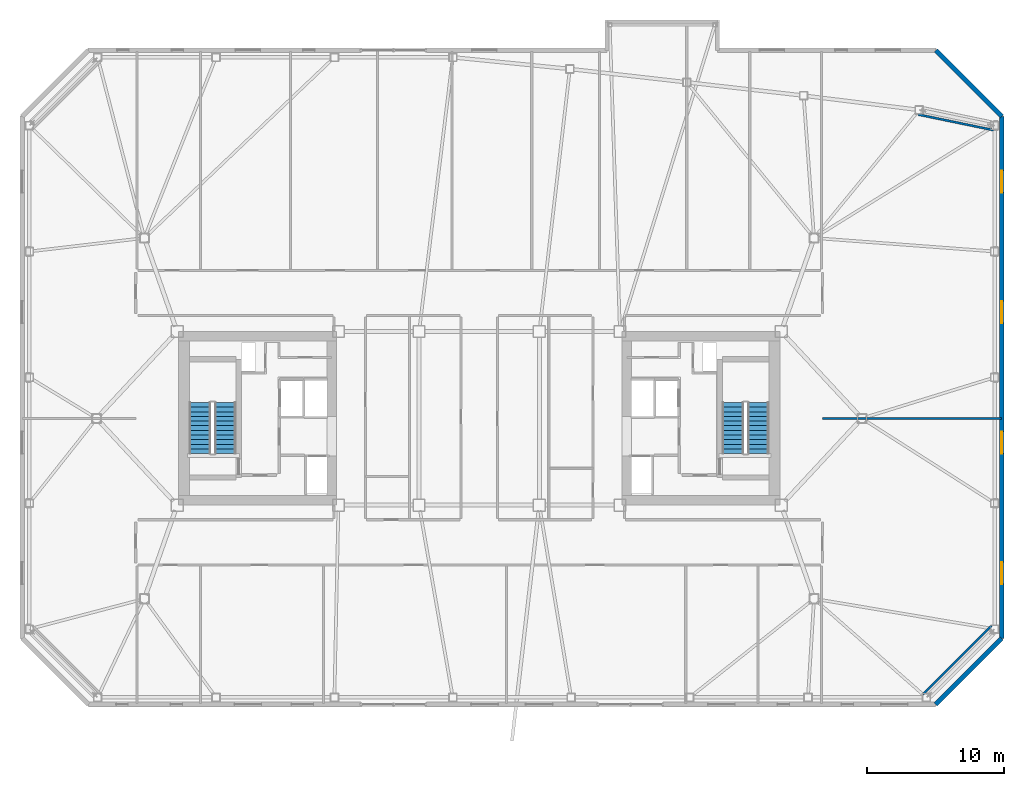
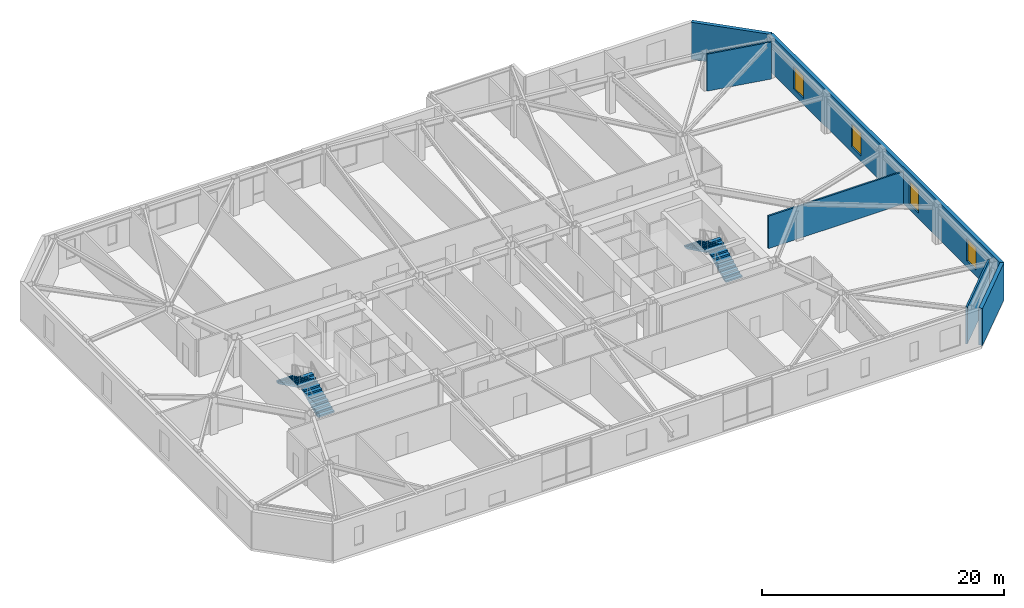
# One storey, part 14 of 18: 6 walls, 4 stair flights, 4 windows, 4 openings, 2 elements without a shape of their own.
"""IFC4 building model written with IfcOpenShell, lengths in metres."""

import ifcopenshell
import ifcopenshell.guid

model = None  # the IFC model being written
_history = None  # IfcOwnerHistory: only IFC2X3 demands one
_inside = {}  # id of a spatial element -> (the spatial element, [elements in it])
_under = {}  # id of a project, library or spatial element -> (it, [spatial elements below it])
_declared = {}  # id of a project -> (the project, [libraries it declares])
_typed = {}  # id of a type object -> (the type object, [elements of that type])
_made_of = {}  # id of a material, layer set ... -> (it, [elements and type objects made of it])


def new_model(schema):
    """Start an empty IFC model of exactly this schema.

    Asked for "IFC4X3", IfcOpenShell would pick the latest addendum, in which some entities
    have other attributes; the version numbers below select the first issue.
    IFC2X3 requires an IfcOwnerHistory on every rooted entity: one is made here for all.
    """
    global model, _history
    if schema == "IFC4X3":
        model = ifcopenshell.file(schema_version=(4, 3, 0, 0))
    else:
        model = ifcopenshell.file(schema=schema)
    _inside.clear()
    _under.clear()
    _declared.clear()
    _typed.clear()
    _made_of.clear()
    _history = None
    if model.schema == "IFC2X3":
        org = make("IfcOrganization", Name="unknown")
        user = make(
            "IfcPersonAndOrganization",
            ThePerson=make("IfcPerson", FamilyName="unknown"),
            TheOrganization=org,
        )
        app = make(
            "IfcApplication",
            ApplicationDeveloper=org,
            Version="unknown",
            ApplicationFullName="unknown",
            ApplicationIdentifier="unknown",
        )
        _history = make(
            "IfcOwnerHistory",
            OwningUser=user,
            OwningApplication=app,
            ChangeAction="ADDED",
            CreationDate=0,
        )
    return model


def make(cls, **values):
    """One entity of the class cls with the attributes given. An attribute that is None is left unset."""
    return model.create_entity(
        cls, **{name: value for name, value in values.items() if value is not None}
    )


def rooted(cls, **values):
    """An entity with a GlobalId (a new one), such as an element, a storey or a relation."""
    return make(cls, GlobalId=ifcopenshell.guid.new(), OwnerHistory=_history, **values)


def si_unit(unit_type, name, prefix=None):
    """IfcSIUnit, for example si_unit("LENGTHUNIT", "METRE", prefix="MILLI")."""
    return make("IfcSIUnit", UnitType=unit_type, Prefix=prefix, Name=name)


def assignment(units):
    """IfcUnitAssignment: the units of a project."""
    return None if units is None else make("IfcUnitAssignment", Units=units)


def point(xyz):
    """IfcCartesianPoint."""
    return None if xyz is None else make("IfcCartesianPoint", Coordinates=xyz)


def direction(xyz):
    """IfcDirection."""
    return None if xyz is None else make("IfcDirection", DirectionRatios=xyz)


def frame(location, z_axis=None, x_axis=None):
    """IfcAxis2Placement3D, a coordinate frame: its origin and axes. An axis left out is left unset."""
    return make(
        "IfcAxis2Placement3D",
        Location=point(location),
        Axis=direction(z_axis),
        RefDirection=direction(x_axis),
    )


def frame_2d(location, x_axis=None):
    """IfcAxis2Placement2D, a coordinate frame in the plane: its origin and x axis."""
    return make(
        "IfcAxis2Placement2D", Location=point(location), RefDirection=direction(x_axis)
    )


def origin():
    """The frame at (0, 0, 0) with its axes left unset."""
    return frame((0.0, 0.0, 0.0))


def place(relative_to, where):
    """IfcLocalPlacement: puts the frame where relative to a parent placement (None: the world)."""
    return make(
        "IfcLocalPlacement", PlacementRelTo=relative_to, RelativePlacement=where
    )


def context(
    kind, dimensions, precision=None, world=None, true_north=None, identifier=None
):
    """IfcGeometricRepresentationContext, for example the 3D "Model" context."""
    return make(
        "IfcGeometricRepresentationContext",
        ContextIdentifier=identifier,
        ContextType=kind,
        CoordinateSpaceDimension=dimensions,
        Precision=precision,
        WorldCoordinateSystem=world,
        TrueNorth=true_north,
    )


def subcontext(parent, identifier, kind, view, scale=None):
    """IfcGeometricRepresentationSubContext, for example "Body" below "Model"."""
    return make(
        "IfcGeometricRepresentationSubContext",
        ContextIdentifier=identifier,
        ContextType=kind,
        ParentContext=parent,
        TargetScale=scale,
        TargetView=view,
    )


def project(units=None, contexts=None):
    """IfcProject with its units and contexts."""
    return rooted(
        "IfcProject",
        Name="project",
        RepresentationContexts=contexts,
        UnitsInContext=assignment(units),
    )


def spatial(cls, under=None, at=None, **own):
    """A site, building, storey or space (cls), placed at a placement, below another one or the project."""
    s = rooted(cls, ObjectPlacement=at, **own)
    if under is not None:
        _under.setdefault(under.id(), (under, []))[1].append(s)
    return s


def polyline(points):
    """IfcPolyline through the points."""
    return make("IfcPolyline", Points=[point(p) for p in points])


def profile(cls, at=None, kind="AREA", **sizes):
    """A parametric profile (cls). Its sizes go by their IFC names, for example OverallWidth=200.0."""
    return make(cls, ProfileType=kind, Position=at, **sizes)


def rectangle(**sizes):
    """IfcRectangleProfileDef."""
    return profile("IfcRectangleProfileDef", **sizes)


def outline(outer, holes=None, kind="AREA"):
    """IfcArbitraryClosedProfileDef: a profile drawn as a closed curve; with holes, ...WithVoids."""
    if holes is None:
        return make("IfcArbitraryClosedProfileDef", ProfileType=kind, OuterCurve=outer)
    return make(
        "IfcArbitraryProfileDefWithVoids",
        ProfileType=kind,
        OuterCurve=outer,
        InnerCurves=holes,
    )


def extrude(swept, where, along, depth):
    """IfcExtrudedAreaSolid: the profile swept, set in the frame where, extruded along a direction by depth."""
    return make(
        "IfcExtrudedAreaSolid",
        SweptArea=swept,
        Position=where,
        ExtrudedDirection=direction(along),
        Depth=depth,
    )


def shape(context_of_items, identifier, shape_type, items):
    """IfcShapeRepresentation: the items that make up one representation, for example the "Body"."""
    return make(
        "IfcShapeRepresentation",
        ContextOfItems=context_of_items,
        RepresentationIdentifier=identifier,
        RepresentationType=shape_type,
        Items=items,
    )


def material(Name=None, Category=None):
    """IfcMaterial."""
    return make("IfcMaterial", Name=Name, Category=Category)


def layer(
    of_material, thickness, ventilated=None, Name=None, Category=None, Priority=None
):
    """IfcMaterialLayer: one layer of a wall or slab, of a material (None: an air gap)."""
    return make(
        "IfcMaterialLayer",
        Material=of_material,
        LayerThickness=thickness,
        IsVentilated=ventilated,
        Name=Name,
        Category=Category,
        Priority=Priority,
    )


def layer_set(layers, Name=None):
    """IfcMaterialLayerSet."""
    return make("IfcMaterialLayerSet", MaterialLayers=layers, LayerSetName=Name)


def made_of(thing, what):
    """Note that an element or type object is made of a material, layer set ...; save() writes the relation."""
    if what is not None:
        _made_of.setdefault(what.id(), (what, []))[1].append(thing)
    return thing


def type_object(cls, material=None, **own):
    """A type object (cls), such as IfcWallType, which elements share."""
    return made_of(rooted(cls, **own), material)


def element(
    cls,
    number,
    at=None,
    inside=None,
    cuts=None,
    type_object=None,
    material=None,
    context=None,
    identifier="Body",
    shape_type=None,
    held_by="IfcProductDefinitionShape",
    body=None,
    shapes=None,
    **own,
):
    """One element of the class cls, such as IfcWall. Its Tag is "e" and its number.

    at: its placement. inside: the storey or other place that contains it. cuts: it is an
    opening in that element (IfcRelVoidsElement). A single representation is given by context,
    identifier, shape_type and body (its items); several are given by shapes. held_by: the class
    of the entity that holds the representations. save() writes the other relations.
    """
    e = rooted(cls, Tag="e%d" % number, ObjectPlacement=at, **own)
    if body is not None:
        shapes = [shape(context, identifier, shape_type, body)]
    if shapes is not None:
        e.Representation = make(held_by, Representations=shapes)
    if inside is not None:
        _inside.setdefault(inside.id(), (inside, []))[1].append(e)
    if cuts is not None:
        rooted(
            "IfcRelVoidsElement", RelatingBuildingElement=cuts, RelatedOpeningElement=e
        )
    if type_object is not None:
        _typed.setdefault(type_object.id(), (type_object, []))[1].append(e)
    return made_of(e, material)


def fill(opening, filler):
    """IfcRelFillsElement: the door or window that sits in an opening."""
    return rooted(
        "IfcRelFillsElement",
        RelatingOpeningElement=opening,
        RelatedBuildingElement=filler,
    )


def aggregate(whole, parts):
    """IfcRelAggregates: a whole, such as a stair, and the parts it consists of."""
    return rooted("IfcRelAggregates", RelatingObject=whole, RelatedObjects=parts)


def save(model, path):
    """Write the relations noted so far, then the file.

    IfcRelAggregates (storeys below a building ...), IfcRelContainedInSpatialStructure (elements
    in a storey), IfcRelDefinesByType, IfcRelAssociatesMaterial and IfcRelDeclares: one each for
    every whole, place, type object, material and project.
    """
    for whole, parts in _under.values():
        aggregate(whole, parts)
    for where, things in _inside.values():
        rooted(
            "IfcRelContainedInSpatialStructure",
            RelatedElements=things,
            RelatingStructure=where,
        )
    for kind, things in _typed.values():
        rooted("IfcRelDefinesByType", RelatedObjects=things, RelatingType=kind)
    for what, things in _made_of.values():
        rooted("IfcRelAssociatesMaterial", RelatedObjects=things, RelatingMaterial=what)
    for by, libraries in _declared.values():
        rooted("IfcRelDeclares", RelatingContext=by, RelatedDefinitions=libraries)
    model.write(path)


model = new_model("IFC4")

# Units and contexts
model_context = context("Model", 3, precision=1e-05, world=origin(), true_north=direction((0.0, 1.0)))
body_context = subcontext(model_context, "Body", "Model", "MODEL_VIEW")
ifc_project = project(units=[si_unit("LENGTHUNIT", "METRE"), si_unit("AREAUNIT", "SQUARE_METRE"), si_unit("VOLUMEUNIT", "CUBIC_METRE"), si_unit("PLANEANGLEUNIT", "RADIAN"), si_unit("MASSUNIT", "GRAM", prefix="KILO")], contexts=[model_context])

# Site, building, storey
site_placement = place(None, origin())
site = spatial("IfcSite", under=ifc_project, at=site_placement, CompositionType="ELEMENT")
building_placement = place(site_placement, origin())
building = spatial("IfcBuilding", under=site, at=building_placement, Name="Tavrogorsk Clinical Tower", CompositionType="ELEMENT")
storey_placement = place(building_placement, frame((0.0, 0.0, 184.199951171875)))
storey = spatial("IfcBuildingStorey", under=building, at=storey_placement, Name="L42", CompositionType="ELEMENT", Elevation=184.199951171875)

# Walls
ifc_material_1 = material(Name="Lightweight concrete blockwork B15", Category="masonry")
ifc_layer_1 = layer(ifc_material_1, 0.159912109375)
ifc_layer_set_1 = layer_set([ifc_layer_1], Name="Lightweight concrete blockwork B15")
wall_type_1 = type_object("IfcWallType", Name="PartitionWall_160", PredefinedType="PARTITIONING", material=ifc_layer_set_1)
wall_1_placement = place(storey_placement, frame((32.4794921875, -20.1796875, 0.0), z_axis=(0.0, 0.0, 1.0), x_axis=(0.707106781187, 0.707106781187, 0.0)))
element("IfcWall", 1, at=wall_1_placement, inside=storey, type_object=wall_type_1, Name="L42 Corner Exoskeleton Brace Furring Wall 1", PredefinedType="PARTITIONING", context=body_context, shape_type="SweptSolid", body=[
    extrude(rectangle(XDim=7.071044921875, YDim=0.159912109375, at=frame_2d((3.53564453125, 0.0))), origin(), (0.0, 0.0, 1.0), 3.739990234375),
])
wall_2_placement = place(storey_placement, frame((37.65087890625, 21.0869140625, 0.0), z_axis=(0.0, 0.0, 1.0), x_axis=(-0.979184618318, 0.202971631636, 0.0)))
element("IfcWall", 2, at=wall_2_placement, inside=storey, type_object=wall_type_1, Name="L42 Corner Exoskeleton Brace Furring Wall 2", PredefinedType="PARTITIONING", context=body_context, shape_type="SweptSolid", body=[
    extrude(rectangle(XDim=5.64599609375, YDim=0.159912109375, at=frame_2d((2.822998046875, 0.0))), origin(), (0.0, 0.0, 1.0), 3.739990234375),
])
wall_3_placement = place(storey_placement, frame((25.1298828125, 0.0, 0.0), z_axis=(0.0, 0.0, 1.0), x_axis=(1.0, 0.0, 0.0)))
element("IfcWall", 3, at=wall_3_placement, inside=storey, type_object=wall_type_1, Name="L42 E Wing Divider 1", PredefinedType="PARTITIONING", context=body_context, shape_type="SweptSolid", body=[
    extrude(rectangle(XDim=13.080078125, YDim=0.159912109375, at=frame_2d((6.5400390625, 0.0))), origin(), (0.0, 0.0, 1.0), 3.28515625),
])

# Wall, openings, windows
ifc_material_2 = material(Name="Precast concrete B45 with limestone cladding", Category="masonry")
ifc_layer_2 = layer(ifc_material_2, 0.340087890625)
ifc_layer_set_2 = layer_set([ifc_layer_2], Name="Precast concrete B45 with limestone cladding")
wall_type_2 = type_object("IfcWallType", Name="PrecastLimestoneWall_340", PredefinedType="STANDARD", material=ifc_layer_set_2)
wall_4_placement = place(storey_placement, frame((38.22998046875, -16.10009765625, 0.0), z_axis=(0.0, 0.0, 1.0), x_axis=(0.0, 1.0, 0.0)))
wall_4 = element("IfcWall", 4, at=wall_4_placement, inside=storey, type_object=wall_type_2, Name="L42 E Pleated Limestone Wing Wall", PredefinedType="STANDARD", context=body_context, shape_type="SweptSolid", body=[
    extrude(rectangle(XDim=38.2001953125, YDim=0.340087890625, at=frame_2d((19.10009765625, 0.0))), origin(), (0.0, 0.0, 1.0), 3.739990234375),
])
opening_1_placement = place(wall_4_placement, frame((3.97509765625, 0.0, 0.580078125)))
opening_1 = element("IfcOpeningElement", 5, at=opening_1_placement, cuts=wall_4, Name="Opening WN-07", PredefinedType="OPENING", context=body_context, shape_type="SweptSolid", body=[
    extrude(rectangle(XDim=1.60009765625, YDim=2.300048828125, at=frame_2d((0.800048828125, 1.14990234375))), frame((0.0, 0.179931640625, 0.0), z_axis=(0.0, -1.0, 0.0), x_axis=(1.0, 0.0, 0.0)), (0.0, 0.0, 1.0), 0.360107421875),
])
opening_2_placement = place(wall_4_placement, frame((13.52490234375, 0.0, 0.580078125)))
opening_2 = element("IfcOpeningElement", 6, at=opening_2_placement, cuts=wall_4, Name="Opening WN-07", PredefinedType="OPENING", context=body_context, shape_type="SweptSolid", body=[
    extrude(rectangle(XDim=1.60009765625, YDim=2.300048828125, at=frame_2d((0.800048828125, 1.14990234375))), frame((0.0, 0.179931640625, 0.0), z_axis=(0.0, -1.0, 0.0), x_axis=(1.0, 0.0, 0.0)), (0.0, 0.0, 1.0), 0.360107421875),
])
opening_3_placement = place(wall_4_placement, frame((23.074951171875, 0.0, 0.580078125)))
opening_3 = element("IfcOpeningElement", 7, at=opening_3_placement, cuts=wall_4, Name="Opening WN-07", PredefinedType="OPENING", context=body_context, shape_type="SweptSolid", body=[
    extrude(rectangle(XDim=1.60009765625, YDim=2.300048828125, at=frame_2d((0.800048828125, 1.14990234375))), frame((0.0, 0.179931640625, 0.0), z_axis=(0.0, -1.0, 0.0), x_axis=(1.0, 0.0, 0.0)), (0.0, 0.0, 1.0), 0.360107421875),
])
opening_4_placement = place(wall_4_placement, frame((32.625, 0.0, 0.580078125)))
opening_4 = element("IfcOpeningElement", 8, at=opening_4_placement, cuts=wall_4, Name="Opening WN-07", PredefinedType="OPENING", context=body_context, shape_type="SweptSolid", body=[
    extrude(rectangle(XDim=1.60009765625, YDim=2.300048828125, at=frame_2d((0.800048828125, 1.14990234375))), frame((0.0, 0.179931640625, 0.0), z_axis=(0.0, -1.0, 0.0), x_axis=(1.0, 0.0, 0.0)), (0.0, 0.0, 1.0), 0.360107421875),
])
ifc_material_3 = material(Name="Thermally broken aluminium frame and triple IGU", Category="aluminium")
window_type = type_object("IfcWindowType", Name="PleatSlotWin_1600x2300", PartitioningType="SINGLE_PANEL", PredefinedType="WINDOW", material=ifc_material_3)
window_1_placement = place(opening_1_placement, origin())
window_1 = element("IfcWindow", 9, at=window_1_placement, inside=storey, type_object=window_type, Name="L42 E Pleat Slot Window 1", OverallHeight=2.300048828125, OverallWidth=1.60009765625, PartitioningType="SINGLE_PANEL", PredefinedType="WINDOW", context=body_context, shape_type="SweptSolid", body=[
    extrude(rectangle(XDim=1.60009765625, YDim=2.300048828125, at=frame_2d((0.800048828125, 1.14990234375))), frame((0.0, 0.030029296875, 0.0), z_axis=(0.0, -1.0, 0.0), x_axis=(1.0, 0.0, 0.0)), (0.0, 0.0, 1.0), 0.06005859375),
])
fill(opening_1, window_1)
window_2_placement = place(opening_2_placement, origin())
window_2 = element("IfcWindow", 10, at=window_2_placement, inside=storey, type_object=window_type, Name="L42 E Pleat Slot Window 2", OverallHeight=2.300048828125, OverallWidth=1.60009765625, PartitioningType="SINGLE_PANEL", PredefinedType="WINDOW", context=body_context, shape_type="SweptSolid", body=[
    extrude(rectangle(XDim=1.60009765625, YDim=2.300048828125, at=frame_2d((0.800048828125, 1.14990234375))), frame((0.0, 0.030029296875, 0.0), z_axis=(0.0, -1.0, 0.0), x_axis=(1.0, 0.0, 0.0)), (0.0, 0.0, 1.0), 0.06005859375),
])
fill(opening_2, window_2)
window_3_placement = place(opening_3_placement, origin())
window_3 = element("IfcWindow", 11, at=window_3_placement, inside=storey, type_object=window_type, Name="L42 E Pleat Slot Window 3", OverallHeight=2.300048828125, OverallWidth=1.60009765625, PartitioningType="SINGLE_PANEL", PredefinedType="WINDOW", context=body_context, shape_type="SweptSolid", body=[
    extrude(rectangle(XDim=1.60009765625, YDim=2.300048828125, at=frame_2d((0.800048828125, 1.14990234375))), frame((0.0, 0.030029296875, 0.0), z_axis=(0.0, -1.0, 0.0), x_axis=(1.0, 0.0, 0.0)), (0.0, 0.0, 1.0), 0.06005859375),
])
fill(opening_3, window_3)
window_4_placement = place(opening_4_placement, origin())
window_4 = element("IfcWindow", 12, at=window_4_placement, inside=storey, type_object=window_type, Name="L42 E Pleat Slot Window 4", OverallHeight=2.300048828125, OverallWidth=1.60009765625, PartitioningType="SINGLE_PANEL", PredefinedType="WINDOW", context=body_context, shape_type="SweptSolid", body=[
    extrude(rectangle(XDim=1.60009765625, YDim=2.300048828125, at=frame_2d((0.800048828125, 1.14990234375))), frame((0.0, 0.030029296875, 0.0), z_axis=(0.0, -1.0, 0.0), x_axis=(1.0, 0.0, 0.0)), (0.0, 0.0, 1.0), 0.06005859375),
])
fill(opening_4, window_4)

# Walls
for number, where, z_axis, x_axis, name in (
    (13, (33.39990234375, -20.929931640625, 0.0), (0.0, 0.0, 1.0), (0.707124652085, 0.707088909836, 0.0), "L42 Chamfered Corner Wall 1"),
    (14, (38.22998046875, 22.10009765625, 0.0), (0.0, 0.0, 1.0), (-0.707124652085, 0.707088909836, 0.0), "L42 Chamfered Corner Wall 2"),
):
    element("IfcWall", number, at=place(storey_placement, frame(where, z_axis=z_axis, x_axis=x_axis)), inside=storey, type_object=wall_type_2, Name=name, PredefinedType="STANDARD", context=body_context, shape_type="SweptSolid", body=[
        extrude(rectangle(XDim=6.83056640625, YDim=0.340087890625, at=frame_2d((3.415283203125, 0.0))), origin(), (0.0, 0.0, 1.0), 3.739990234375),
    ])

# Stair, stair flights
ifc_material_4 = material(Name="Concrete B60", Category="concrete")
stair_type = type_object("IfcStairType", Name="CoreStairAssembly", PredefinedType="HALF_TURN_STAIR", material=ifc_material_4)
stair_1_placement = place(storey_placement, origin())
stair_1 = element("IfcStair", 15, at=stair_1_placement, inside=storey, type_object=stair_type, Name="L42 ST-W", PredefinedType="HALF_TURN_STAIR")
ifc_material_5 = material(Name="Concrete B60", Category="concrete")
stair_flight_type = type_object("IfcStairFlightType", Name="CoreStairFlight", PredefinedType="STRAIGHT", material=ifc_material_5)
stair_flight_1_placement = place(storey_placement, frame((-18.574951171875, -2.574951171875, 0.0), z_axis=(0.0, 0.0, 1.0), x_axis=(0.0, 1.0, 0.0)))
stair_flight_1 = element("IfcStairFlight", 16, at=stair_flight_1_placement, type_object=stair_flight_type, Name="ST-W flight 1", NumberOfRisers=12, NumberOfTreads=11, PredefinedType="STRAIGHT", RiserHeight=0.166666667, TreadLength=0.34, context=body_context, shape_type="SweptSolid", body=[
    extrude(outline(polyline([(0.0, 0.0), (0.0, 0.166748046875), (0.340087890625, 0.166748046875), (0.340087890625, 0.333251953125), (0.679931640625, 0.333251953125), (0.679931640625, 0.5), (1.02001953125, 0.5), (1.02001953125, 0.666748046875), (1.360107421875, 0.666748046875), (1.360107421875, 0.833251953125), (1.699951171875, 0.833251953125), (1.699951171875, 1.0), (2.0400390625, 1.0), (2.0400390625, 1.166748046875), (2.3798828125, 1.166748046875), (2.3798828125, 1.333251953125), (2.719970703125, 1.333251953125), (2.719970703125, 1.5), (3.06005859375, 1.5), (3.06005859375, 1.666748046875), (3.39990234375, 1.666748046875), (3.39990234375, 1.833251953125), (3.739990234375, 1.833251953125), (3.739990234375, 2.0), (3.739990234375, 1.66650390625), (0.340576171875, 0.0), (0.0, 0.0)])), frame((0.0, 0.77490234375, 0.0), z_axis=(0.0, -1.0, 0.0), x_axis=(1.0, 0.0, 0.0)), (0.0, 0.0, 1.0), 1.550048828125),
])
stair_flight_2_placement = place(storey_placement, frame((-20.425048828125, 1.1650390625, 2.0), z_axis=(0.0, 0.0, 1.0), x_axis=(0.0, -1.0, 0.0)))
stair_flight_2 = element("IfcStairFlight", 17, at=stair_flight_2_placement, type_object=stair_flight_type, Name="ST-W flight 2", NumberOfRisers=12, NumberOfTreads=11, PredefinedType="STRAIGHT", RiserHeight=0.166666667, TreadLength=0.34, context=body_context, shape_type="SweptSolid", body=[
    extrude(outline(polyline([(0.0, 0.0), (0.0, 0.166748046875), (0.340087890625, 0.166748046875), (0.340087890625, 0.333251953125), (0.679931640625, 0.333251953125), (0.679931640625, 0.5), (1.02001953125, 0.5), (1.02001953125, 0.666748046875), (1.360107421875, 0.666748046875), (1.360107421875, 0.833251953125), (1.699951171875, 0.833251953125), (1.699951171875, 1.0), (2.0400390625, 1.0), (2.0400390625, 1.166748046875), (2.3798828125, 1.166748046875), (2.3798828125, 1.333251953125), (2.719970703125, 1.333251953125), (2.719970703125, 1.5), (3.06005859375, 1.5), (3.06005859375, 1.666748046875), (3.39990234375, 1.666748046875), (3.39990234375, 1.833251953125), (3.739990234375, 1.833251953125), (3.739990234375, 2.0), (3.739990234375, 1.66650390625), (0.340576171875, 0.0), (0.0, 0.0)])), frame((0.0, 0.77490234375, 0.0), z_axis=(0.0, -1.0, 0.0), x_axis=(1.0, 0.0, 0.0)), (0.0, 0.0, 1.0), 1.550048828125),
])
aggregate(stair_1, [stair_flight_1, stair_flight_2])

stair_2_placement = place(storey_placement, origin())
stair_2 = element("IfcStair", 18, at=stair_2_placement, inside=storey, type_object=stair_type, Name="L42 ST-E", PredefinedType="HALF_TURN_STAIR")
stair_flight_3_placement = place(storey_placement, frame((20.425048828125, -2.574951171875, 0.0), z_axis=(0.0, 0.0, 1.0), x_axis=(0.0, 1.0, 0.0)))
stair_flight_3 = element("IfcStairFlight", 19, at=stair_flight_3_placement, type_object=stair_flight_type, Name="ST-E flight 1", NumberOfRisers=12, NumberOfTreads=11, PredefinedType="STRAIGHT", RiserHeight=0.166666667, TreadLength=0.34, context=body_context, shape_type="SweptSolid", body=[
    extrude(outline(polyline([(0.0, 0.0), (0.0, 0.166748046875), (0.340087890625, 0.166748046875), (0.340087890625, 0.333251953125), (0.679931640625, 0.333251953125), (0.679931640625, 0.5), (1.02001953125, 0.5), (1.02001953125, 0.666748046875), (1.360107421875, 0.666748046875), (1.360107421875, 0.833251953125), (1.699951171875, 0.833251953125), (1.699951171875, 1.0), (2.0400390625, 1.0), (2.0400390625, 1.166748046875), (2.3798828125, 1.166748046875), (2.3798828125, 1.333251953125), (2.719970703125, 1.333251953125), (2.719970703125, 1.5), (3.06005859375, 1.5), (3.06005859375, 1.666748046875), (3.39990234375, 1.666748046875), (3.39990234375, 1.833251953125), (3.739990234375, 1.833251953125), (3.739990234375, 2.0), (3.739990234375, 1.66650390625), (0.340576171875, 0.0), (0.0, 0.0)])), frame((0.0, 0.77490234375, 0.0), z_axis=(0.0, -1.0, 0.0), x_axis=(1.0, 0.0, 0.0)), (0.0, 0.0, 1.0), 1.550048828125),
])
stair_flight_4_placement = place(storey_placement, frame((18.574951171875, 1.1650390625, 2.0), z_axis=(0.0, 0.0, 1.0), x_axis=(0.0, -1.0, 0.0)))
stair_flight_4 = element("IfcStairFlight", 20, at=stair_flight_4_placement, type_object=stair_flight_type, Name="ST-E flight 2", NumberOfRisers=12, NumberOfTreads=11, PredefinedType="STRAIGHT", RiserHeight=0.166666667, TreadLength=0.34, context=body_context, shape_type="SweptSolid", body=[
    extrude(outline(polyline([(0.0, 0.0), (0.0, 0.166748046875), (0.340087890625, 0.166748046875), (0.340087890625, 0.333251953125), (0.679931640625, 0.333251953125), (0.679931640625, 0.5), (1.02001953125, 0.5), (1.02001953125, 0.666748046875), (1.360107421875, 0.666748046875), (1.360107421875, 0.833251953125), (1.699951171875, 0.833251953125), (1.699951171875, 1.0), (2.0400390625, 1.0), (2.0400390625, 1.166748046875), (2.3798828125, 1.166748046875), (2.3798828125, 1.333251953125), (2.719970703125, 1.333251953125), (2.719970703125, 1.5), (3.06005859375, 1.5), (3.06005859375, 1.666748046875), (3.39990234375, 1.666748046875), (3.39990234375, 1.833251953125), (3.739990234375, 1.833251953125), (3.739990234375, 2.0), (3.739990234375, 1.66650390625), (0.340576171875, 0.0), (0.0, 0.0)])), frame((0.0, 0.77490234375, 0.0), z_axis=(0.0, -1.0, 0.0), x_axis=(1.0, 0.0, 0.0)), (0.0, 0.0, 1.0), 1.550048828125),
])
aggregate(stair_2, [stair_flight_3, stair_flight_4])

save(model, "model.ifc")
